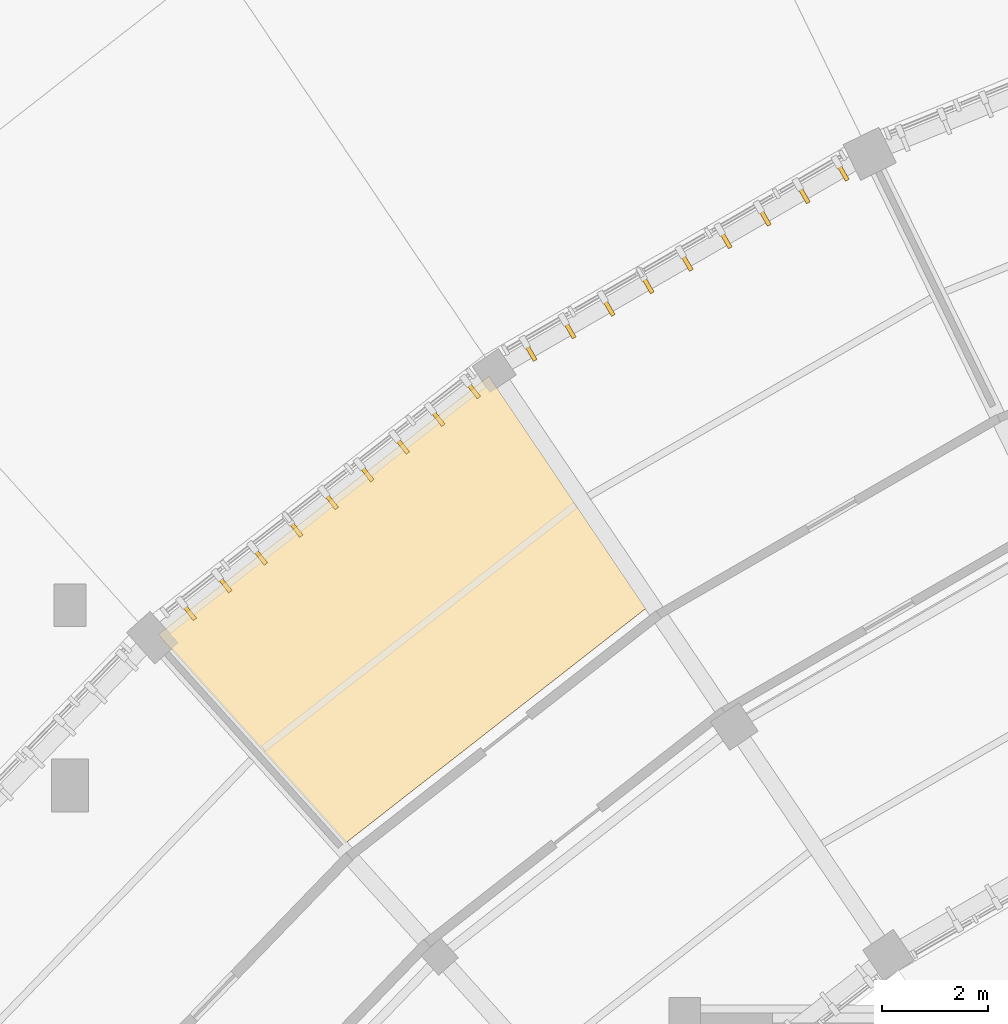
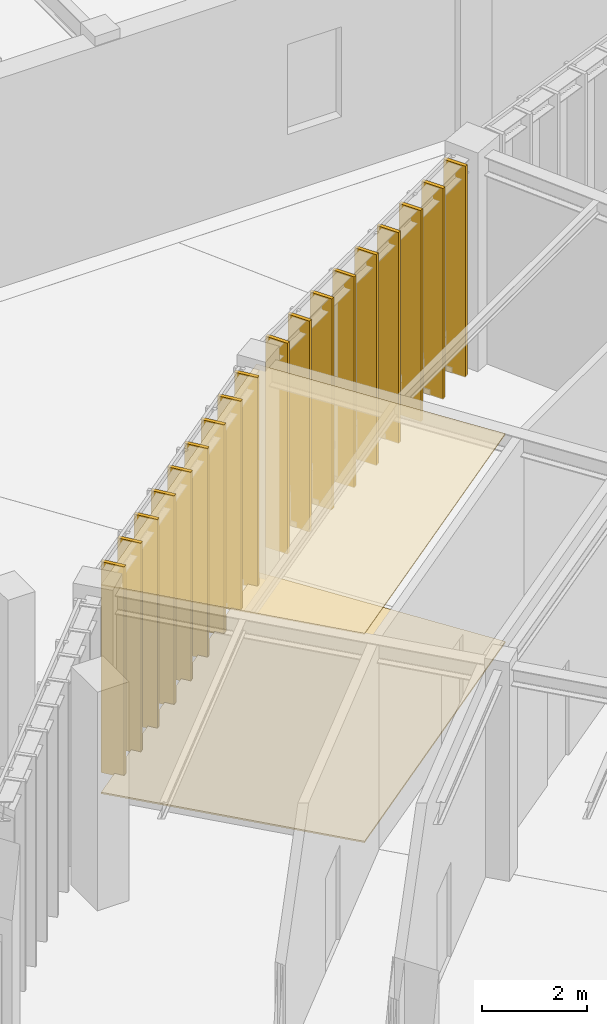
# One storey, part 63 of 68: 20 coverings.
"""IFC4 building model written with IfcOpenShell, lengths in metres."""

from ifc_helpers import new_model, si_unit, direction, frame, origin, origin_2d, place, context, subcontext, project, spatial, polyline, rectangle, outline, extrude, material, layer, layer_set, type_object, element, save


model = new_model("IFC4")

# Units and contexts
model_context = context("Model", 3, precision=1e-05, world=origin(), true_north=direction((0.0, 1.0)))
body_context = subcontext(model_context, "Body", "Model", "MODEL_VIEW")
ifc_project = project(units=[si_unit("LENGTHUNIT", "METRE"), si_unit("AREAUNIT", "SQUARE_METRE"), si_unit("VOLUMEUNIT", "CUBIC_METRE"), si_unit("PLANEANGLEUNIT", "RADIAN"), si_unit("MASSUNIT", "GRAM", prefix="KILO"), si_unit("THERMODYNAMICTEMPERATUREUNIT", "KELVIN"), si_unit("POWERUNIT", "WATT")], contexts=[model_context])

# Site, building, storey
site_placement = place(None, origin())
site = spatial("IfcSite", under=ifc_project, at=site_placement, CompositionType="ELEMENT")
building_placement = place(site_placement, origin())
building = spatial("IfcBuilding", under=site, at=building_placement, Name="Solvatero Civic Police Headquarters", CompositionType="ELEMENT")
storey_placement = place(building_placement, origin())
storey = spatial("IfcBuildingStorey", under=building, at=storey_placement, Name="L00", CompositionType="ELEMENT", Elevation=0.0)

# Coverings
ifc_material_1 = material(Name="Mineral-Fibre Acoustic Tile", Category="gypsum")
ifc_layer_1 = layer(ifc_material_1, 0.02490234375)
ifc_layer_set_1 = layer_set([ifc_layer_1], Name="Mineral-Fibre Acoustic Tile")
covering_type_1 = type_object("IfcCoveringType", Name="COV-CEIL-AC", PredefinedType="CEILING", material=ifc_layer_set_1)
covering_1_placement = place(storey_placement, frame((0.0, 0.0, 4.85498046875)))
element("IfcCovering", 1, at=covering_1_placement, inside=storey, type_object=covering_type_1, Name="Acoustic Ceiling Patrol Sector Dispatch Office Bay 6", PredefinedType="CEILING", context=body_context, shape_type="SweptSolid", body=[
    extrude(outline(polyline([(58.4033203125, 65.713623046875), (54.864013671875, 69.64453125), (61.10400390625, 74.519775390625), (64.06201171875, 70.134765625), (58.4033203125, 65.713623046875)])), origin(), (0.0, 0.0, 1.0), 0.02490234375),
])
ifc_material_2 = material(Name="Anodized Bronze Aluminium", Category="aluminium")
ifc_layer_2 = layer(ifc_material_2, 0.080078125)
ifc_layer_set_2 = layer_set([ifc_layer_2], Name="Anodized Bronze Aluminium")
covering_type_2 = type_object("IfcCoveringType", Name="COV-FIN-480", PredefinedType="CLADDING", material=ifc_layer_set_2)
for number, where, z_axis, x_axis, name in (
    (2, (67.747314453125, 78.423583984375, -0.02001953125), (0.0, 0.0, 1.0), (-0.866034130299, -0.499984884929, 0.0), "Vertical Brise-Soleil Fin 0046"),
    (3, (67.010986328125, 77.99853515625, -0.02001953125), (0.0, 0.0, 1.0), (-0.866034130299, -0.499984884929, 0.0), "Vertical Brise-Soleil Fin 0047"),
    (4, (66.27490234375, 77.573486328125, -0.02001953125), (0.0, 0.0, 1.0), (-0.866034130299, -0.499984884929, 0.0), "Vertical Brise-Soleil Fin 0048"),
    (5, (65.538818359375, 77.1484375, -0.02001953125), (0.0, 0.0, 1.0), (-0.866034130299, -0.499984884929, 0.0), "Vertical Brise-Soleil Fin 0049"),
    (6, (64.802734375, 76.723388671875, -0.02001953125), (0.0, 0.0, 1.0), (-0.866034130299, -0.499984884929, 0.0), "Vertical Brise-Soleil Fin 0050"),
    (7, (64.066650390625, 76.298583984375, -0.02001953125), (0.0, 0.0, 1.0), (-0.866034130299, -0.499984884929, 0.0), "Vertical Brise-Soleil Fin 0051"),
    (8, (63.33056640625, 75.87353515625, -0.02001953125), (0.0, 0.0, 1.0), (-0.866034130299, -0.499984884929, 0.0), "Vertical Brise-Soleil Fin 0052"),
    (9, (62.594482421875, 75.448486328125, -0.02001953125), (0.0, 0.0, 1.0), (-0.866034130299, -0.499984884929, 0.0), "Vertical Brise-Soleil Fin 0053"),
    (10, (61.858154296875, 75.0234375, -0.02001953125), (0.0, 0.0, 1.0), (-0.866034130299, -0.499984884929, 0.0), "Vertical Brise-Soleil Fin 0054"),
    (11, (60.765869140625, 74.305908203125, -0.02001953125), (0.0, 0.0, 1.0), (-0.788010753607, -0.615661475326, 0.0), "Vertical Brise-Soleil Fin 0061"),
    (12, (60.09619140625, 73.78271484375, -0.02001953125), (0.0, 0.0, 1.0), (-0.788010753607, -0.615661475326, 0.0), "Vertical Brise-Soleil Fin 0062"),
    (13, (59.42626953125, 73.25927734375, -0.02001953125), (0.0, 0.0, 1.0), (-0.788010753607, -0.615661475326, 0.0), "Vertical Brise-Soleil Fin 0063"),
    (14, (58.756591796875, 72.736083984375, -0.02001953125), (0.0, 0.0, 1.0), (-0.788010753607, -0.615661475326, 0.0), "Vertical Brise-Soleil Fin 0064"),
    (15, (58.086669921875, 72.212646484375, -0.02001953125), (0.0, 0.0, 1.0), (-0.788010753607, -0.615661475326, 0.0), "Vertical Brise-Soleil Fin 0065"),
    (16, (57.416748046875, 71.689208984375, -0.02001953125), (0.0, 0.0, 1.0), (-0.788010753607, -0.615661475326, 0.0), "Vertical Brise-Soleil Fin 0066"),
    (17, (56.7470703125, 71.166015625, -0.02001953125), (0.0, 0.0, 1.0), (-0.788010753607, -0.615661475326, 0.0), "Vertical Brise-Soleil Fin 0067"),
    (18, (56.0771484375, 70.642578125, -0.02001953125), (0.0, 0.0, 1.0), (-0.788010753607, -0.615661475326, 0.0), "Vertical Brise-Soleil Fin 0068"),
    (19, (55.407470703125, 70.119384765625, -0.02001953125), (0.0, 0.0, 1.0), (-0.788010753607, -0.615661475326, 0.0), "Vertical Brise-Soleil Fin 0069"),
):
    element("IfcCovering", number, at=place(storey_placement, frame(where, z_axis=z_axis, x_axis=x_axis)), inside=storey, type_object=covering_type_2, Name=name, PredefinedType="CLADDING", context=body_context, shape_type="SweptSolid", body=[
        extrude(rectangle(XDim=0.080078125, YDim=0.47998046875, at=origin_2d()), origin(), (0.0, 0.0, 1.0), 4.919921875),
    ])
ifc_material_3 = material(Name="Venetian Terrazzo Stone", Category="masonry")
ifc_layer_3 = layer(ifc_material_3, 0.034912109375)
ifc_layer_set_3 = layer_set([ifc_layer_3], Name="Venetian Terrazzo Stone")
covering_type_3 = type_object("IfcCoveringType", Name="COV-FLR-TER", PredefinedType="FLOORING", material=ifc_layer_set_3)
covering_2_placement = place(storey_placement, origin())
element("IfcCovering", 20, at=covering_2_placement, inside=storey, type_object=covering_type_3, Name="Flooring Patrol Sector Dispatch Office Bay 6", PredefinedType="FLOORING", context=body_context, shape_type="SweptSolid", body=[
    extrude(outline(polyline([(58.4033203125, 65.713623046875), (54.864013671875, 69.64453125), (61.10400390625, 74.519775390625), (64.06201171875, 70.134765625), (58.4033203125, 65.713623046875)])), origin(), (0.0, 0.0, 1.0), 0.034912109375),
])

save(model, "model.ifc")
